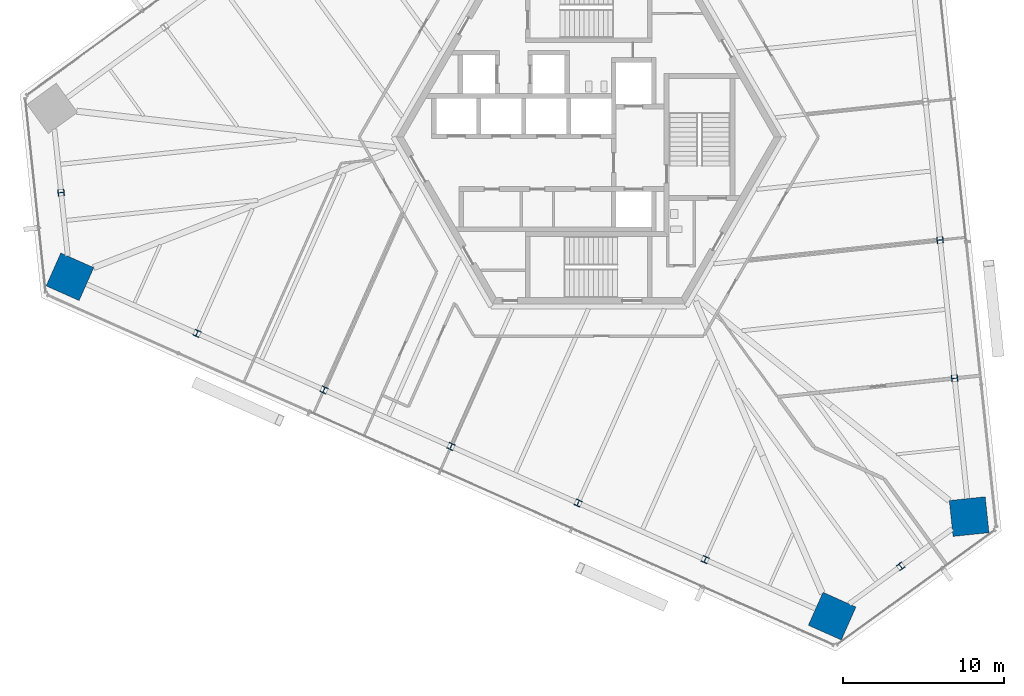
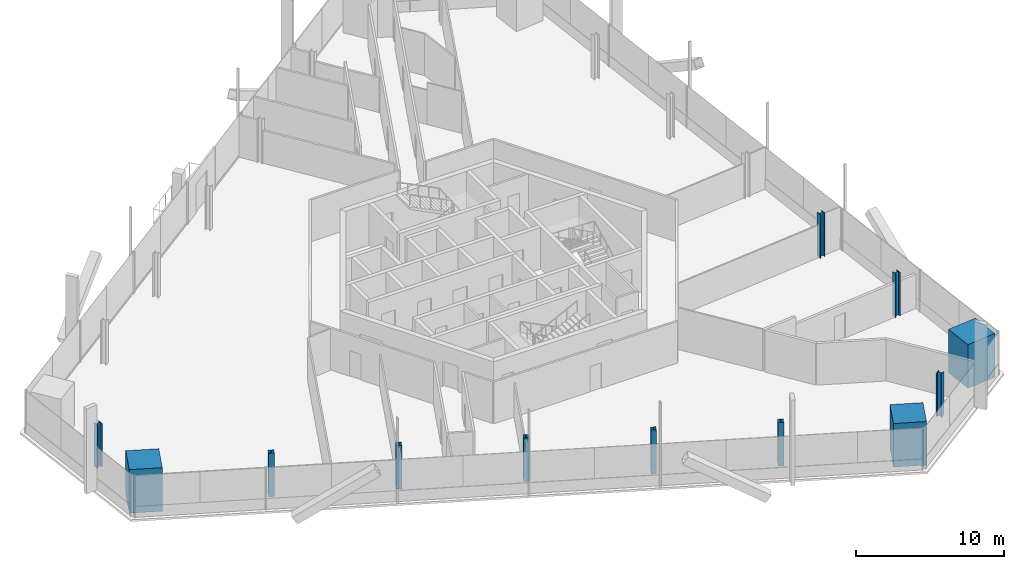
# One storey, part 1 of 21: 12 columns.
"""IFC4 building model written with IfcOpenShell, lengths in metres."""

from ifc_helpers import new_model, si_unit, direction, frame, origin, origin_2d, place, context, subcontext, project, spatial, rectangle, i_section, extrude, source, transform, mapped, material, material_profile, profile_set, type_object, element, save


model = new_model("IFC4")

# Units and contexts
model_context = context("Model", 3, precision=1e-05, world=origin(), true_north=direction((0.0, 1.0)))
body_context = subcontext(model_context, "Body", "Model", "MODEL_VIEW")
ifc_project = project(units=[si_unit("LENGTHUNIT", "METRE"), si_unit("AREAUNIT", "SQUARE_METRE"), si_unit("VOLUMEUNIT", "CUBIC_METRE"), si_unit("PLANEANGLEUNIT", "RADIAN"), si_unit("MASSUNIT", "GRAM", prefix="KILO")], contexts=[model_context])

# Site, building, storey
site_placement = place(None, origin())
site = spatial("IfcSite", under=ifc_project, at=site_placement, CompositionType="ELEMENT")
building_placement = place(site_placement, origin())
building = spatial("IfcBuilding", under=site, at=building_placement, Name="Triune Harvest Tower", CompositionType="ELEMENT")
storey_placement = place(building_placement, frame((0.0, 0.0, 65.699951171875)))
storey = spatial("IfcBuildingStorey", under=building, at=storey_placement, Name="L15", CompositionType="ELEMENT", Elevation=65.699951171875)

# Columns
ifc_material_1 = material(Name="Concrete 70 MPa", Category="concrete")
ifc_material_profile_1 = material_profile(ifc_material_1, rectangle(XDim=2.25, YDim=2.25, at=origin_2d()), Name="Composite 2250x2250")
ifc_profile_set_1 = profile_set([ifc_material_profile_1], Name="Concrete 70 MPa")
column_type_1 = type_object("IfcColumnType", Name="MC-2 Mega column Composite 2250x2250", PredefinedType="COLUMN", material=ifc_profile_set_1)
shared_shape_1 = source(origin(), body_context, "Body", "SweptSolid", [
    extrude(rectangle(XDim=2.25, YDim=2.25, at=origin_2d()), origin(), (0.0, 0.0, 1.0), 3.60009765625),
])
for number, where, z_axis, x_axis, name in (
    (1, (23.693359375, -23.6396484375, 0.0), (0.0, 0.0, 1.0), (-0.104526727499, 0.994522077803, 0.0), "col/L15/M0"),
    (2, (-32.319091796875, -8.69921875, 0.0), (0.0, 0.0, 1.0), (0.913545457643, -0.406736643076, 0.0), "col/L15/M16"),
    (3, (15.160888671875, -29.8388671875, 0.0), (0.0, 0.0, 1.0), (0.913545457643, -0.406736643076, 0.0), "col/L15/M22"),
):
    element("IfcColumn", number, at=place(storey_placement, frame(where, z_axis=z_axis, x_axis=x_axis)), inside=storey, type_object=column_type_1, Name=name, PredefinedType="COLUMN", context=body_context, shape_type="MappedRepresentation", body=[
        mapped(shared_shape_1, transform((0.0, 0.0, 0.0), scale=1.0)),
    ])
ifc_material_2 = material(Name="Steel ASTM A992 Gr 50", Category="steel")
ifc_material_profile_2 = material_profile(ifc_material_2, i_section(OverallWidth=0.398681640625, OverallDepth=0.393798828125, WebThickness=0.022705078125, FlangeThickness=0.03662109375, at=origin_2d()), Name="W14x193")
ifc_profile_set_2 = profile_set([ifc_material_profile_2], Name="Steel ASTM A992 Gr 50")
column_type_2 = type_object("IfcColumnType", Name="PC-2 Perimeter column W14x193", PredefinedType="COLUMN", material=ifc_profile_set_2)
shared_shape_2 = source(origin(), body_context, "Body", "SweptSolid", [
    extrude(i_section(OverallWidth=0.398681640625, OverallDepth=0.393798828125, WebThickness=0.022705078125, FlangeThickness=0.03662109375, at=origin_2d()), origin(), (0.0, 0.0, 1.0), 3.60009765625),
])
for number, where, z_axis, x_axis, name in (
    (4, (22.787841796875, -15.02490234375, 0.0), (0.0, 0.0, 1.0), (-0.104526727499, 0.994522077803, 0.0), "col/L15/P1"),
    (5, (21.88232421875, -6.409912109375, 0.0), (0.0, 0.0, 1.0), (-0.104526727499, 0.994522077803, 0.0), "col/L15/P2"),
    (6, (-32.870361328125, -3.454833984375, 0.0), (0.0, 0.0, 1.0), (0.104528463268, -0.994521895368, 0.0), "col/L15/P15"),
    (7, (-24.40576171875, -12.222412109375, 0.0), (0.0, 0.0, 1.0), (0.913545457643, -0.406736643076, 0.0), "col/L15/P17"),
    (8, (-16.492431640625, -15.745849609375, 0.0), (0.0, 0.0, 1.0), (0.913545457643, -0.406736643076, 0.0), "col/L15/P18"),
    (9, (-8.5791015625, -19.26904296875, 0.0), (0.0, 0.0, 1.0), (0.913545457643, -0.406736643076, 0.0), "col/L15/P19"),
    (10, (-0.665771484375, -22.792236328125, 0.0), (0.0, 0.0, 1.0), (0.913545457643, -0.406736643076, 0.0), "col/L15/P20"),
    (11, (7.24755859375, -26.3154296875, 0.0), (0.0, 0.0, 1.0), (0.913545457643, -0.406736643076, 0.0), "col/L15/P21"),
    (12, (19.427001953125, -26.7392578125, 0.0), (0.0, 0.0, 1.0), (0.809014942612, 0.587788076291, 0.0), "col/L15/P23"),
):
    element("IfcColumn", number, at=place(storey_placement, frame(where, z_axis=z_axis, x_axis=x_axis)), inside=storey, type_object=column_type_2, Name=name, PredefinedType="COLUMN", context=body_context, shape_type="MappedRepresentation", body=[
        mapped(shared_shape_2, transform((0.0, 0.0, 0.0), scale=1.0)),
    ])

save(model, "model.ifc")
